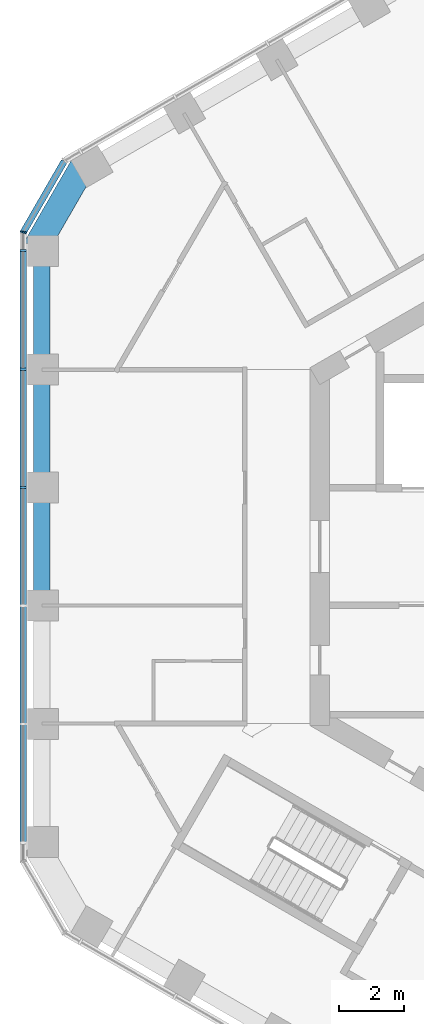
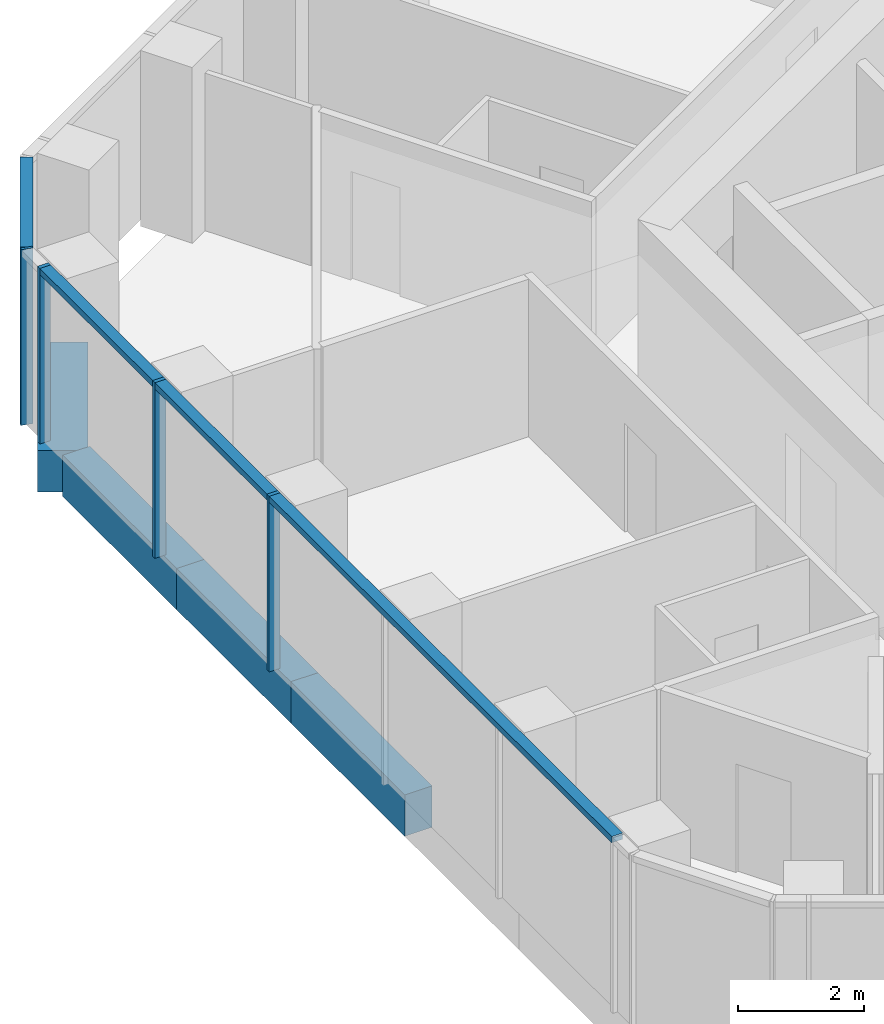
# One storey, part 4 of 18: 6 members, 4 beams, 2 elements without a shape of their own.
"""IFC4 building model written with IfcOpenShell, lengths in metres."""

from ifc_helpers import new_model, si_unit, direction, frame, origin, origin_2d, place, context, subcontext, project, spatial, rectangle, extrude, material, layer, layer_set, material_profile, profile_set, type_object, element, aggregate, save


model = new_model("IFC4")

# Units and contexts
model_context = context("Model", 3, precision=1e-05, world=origin(), true_north=direction((0.0, 1.0)))
body_context = subcontext(model_context, "Body", "Model", "MODEL_VIEW")
ifc_project = project(units=[si_unit("LENGTHUNIT", "METRE"), si_unit("AREAUNIT", "SQUARE_METRE"), si_unit("VOLUMEUNIT", "CUBIC_METRE"), si_unit("PLANEANGLEUNIT", "RADIAN"), si_unit("MASSUNIT", "GRAM", prefix="KILO")], contexts=[model_context])

# Site, building, storey
site_placement = place(None, origin())
site = spatial("IfcSite", under=ifc_project, at=site_placement, CompositionType="ELEMENT")
building_placement = place(site_placement, origin())
building = spatial("IfcBuilding", under=site, at=building_placement, Name="Ayvan Gate Tower", CompositionType="ELEMENT")
storey_placement = place(building_placement, frame((0.0, 0.0, 179.89990234375)))
storey = spatial("IfcBuildingStorey", under=building, at=storey_placement, Name="L48", CompositionType="ELEMENT", Elevation=179.89990234375)

# Beams
ifc_material_1 = material(Name="Concrete C40/50", Category="concrete")
ifc_material_profile_1 = material_profile(ifc_material_1, rectangle(XDim=0.800048828125, YDim=0.800048828125, at=origin_2d()), Name="RC 800x800")
ifc_profile_set_1 = profile_set([ifc_material_profile_1], Name="Concrete C40/50")
beam_type_1 = type_object("IfcBeamType", Name="Corner spandrel beam RC 800x800 C40/50", PredefinedType="BEAM", material=ifc_profile_set_1)
beam_placement = place(storey_placement, frame((-16.415283203125, 11.74267578125, -0.75), z_axis=(-0.499990139034, -0.866031096941, 0.0), x_axis=(0.866031096941, -0.499990139034, 0.0)))
element("IfcBeam", 1, at=beam_placement, inside=storey, type_object=beam_type_1, Name="SB-L48-18", PredefinedType="BEAM", context=body_context, shape_type="SweptSolid", body=[
    extrude(rectangle(XDim=0.800048828125, YDim=0.800048828125, at=origin_2d()), origin(), (0.0, 0.0, 1.0), 3.0),
])
ifc_material_profile_2 = material_profile(ifc_material_1, rectangle(XDim=0.5, YDim=0.800048828125, at=origin_2d()), Name="RC 500x800")
ifc_profile_set_2 = profile_set([ifc_material_profile_2], Name="Concrete C40/50")
beam_type_2 = type_object("IfcBeamType", Name="Spandrel beam RC 500x800 C40/50", PredefinedType="BEAM", material=ifc_profile_set_2)
for number, where, z_axis, x_axis, name in (
    (2, (-17.724853515625, 9.034423828125, -0.75), (0.0, -1.0, 0.0), (1.0, 0.0, 0.0), "SB-L48-19"),
    (3, (-17.724853515625, 5.420654296875, -0.75), (0.0, -1.0, 0.0), (1.0, 0.0, 0.0), "SB-L48-20"),
    (4, (-17.724853515625, 1.806884765625, -0.75), (0.0, -1.0, 0.0), (1.0, 0.0, 0.0), "SB-L48-21"),
):
    element("IfcBeam", number, at=place(storey_placement, frame(where, z_axis=z_axis, x_axis=x_axis)), inside=storey, type_object=beam_type_2, Name=name, PredefinedType="BEAM", context=body_context, shape_type="SweptSolid", body=[
        extrude(rectangle(XDim=0.5, YDim=0.800048828125, at=origin_2d()), origin(), (0.0, 0.0, 1.0), 3.61376953125),
    ])

# Curtain wall, members
ifc_material_2 = material(Name="Bronze anodised aluminium", Category="aluminium")
ifc_layer_1 = layer(ifc_material_2, 0.199951171875)
ifc_layer_set_1 = layer_set([ifc_layer_1], Name="Bronze anodised aluminium")
curtain_wall_type_1 = type_object("IfcCurtainWallType", Name="Stick curtain wall CW-2", PredefinedType="NOTDEFINED", material=ifc_layer_set_1)
curtain_wall_1_placement = place(storey_placement, origin())
curtain_wall_1 = element("IfcCurtainWall", 5, at=curtain_wall_1_placement, inside=storey, type_object=curtain_wall_type_1, Name="Stick curtain wall CW-2 L48", PredefinedType="NOTDEFINED")
ifc_material_profile_3 = material_profile(ifc_material_2, rectangle(XDim=0.199951171875, YDim=0.070068359375, at=origin_2d()), Name="Stick curtain wall CW-2 mullion 200 x 70")
ifc_profile_set_3 = profile_set([ifc_material_profile_3], Name="Bronze anodised aluminium")
member_type_1 = type_object("IfcMemberType", Name="Stick curtain wall CW-2 mullion 200 x 70", PredefinedType="MULLION", material=ifc_profile_set_3)
member_1_placement = place(storey_placement, frame((-18.286865234375, 9.082763671875, 0.0), z_axis=(0.0, 0.0, 1.0), x_axis=(-1.0, 0.0, 0.0)))
member_1 = element("IfcMember", 6, at=member_1_placement, type_object=member_type_1, Name="CW-2 mullion 1", PredefinedType="MULLION", context=body_context, shape_type="SweptSolid", body=[
    extrude(rectangle(XDim=0.199951171875, YDim=0.070068359375, at=origin_2d()), origin(), (0.0, 0.0, 1.0), 3.400146484375),
])
member_2_placement = place(storey_placement, frame((-18.286865234375, 5.435791015625, 0.0), z_axis=(0.0, 0.0, 1.0), x_axis=(-1.0, 0.0, 0.0)))
member_2 = element("IfcMember", 7, at=member_2_placement, type_object=member_type_1, Name="CW-2 mullion 2", PredefinedType="MULLION", context=body_context, shape_type="SweptSolid", body=[
    extrude(rectangle(XDim=0.199951171875, YDim=0.070068359375, at=origin_2d()), origin(), (0.0, 0.0, 1.0), 3.400146484375),
])
member_3_placement = place(storey_placement, frame((-18.286865234375, 1.811767578125, 0.0), z_axis=(0.0, 0.0, 1.0), x_axis=(-1.0, 0.0, 0.0)))
member_3 = element("IfcMember", 8, at=member_3_placement, type_object=member_type_1, Name="CW-2 mullion 3", PredefinedType="MULLION", context=body_context, shape_type="SweptSolid", body=[
    extrude(rectangle(XDim=0.199951171875, YDim=0.070068359375, at=origin_2d()), origin(), (0.0, 0.0, 1.0), 3.400146484375),
])
ifc_material_profile_4 = material_profile(ifc_material_2, rectangle(XDim=0.199951171875, YDim=0.1201171875, at=origin_2d()), Name="Stick curtain wall CW-2 transom 200 x 120")
ifc_profile_set_4 = profile_set([ifc_material_profile_4], Name="Bronze anodised aluminium")
member_type_2 = type_object("IfcMemberType", Name="Stick curtain wall CW-2 transom 200 x 120", PredefinedType="USERDEFINED", material=ifc_profile_set_4)
member_4_placement = place(storey_placement, frame((-18.286865234375, 9.082763671875, 3.340087890625), z_axis=(0.0, -1.0, 0.0), x_axis=(1.0, 0.0, 0.0)))
member_4 = element("IfcMember", 9, at=member_4_placement, type_object=member_type_2, Name="CW-2 transom 1", ObjectType="TRANSOM", PredefinedType="USERDEFINED", context=body_context, shape_type="SweptSolid", body=[
    extrude(rectangle(XDim=0.199951171875, YDim=0.1201171875, at=origin_2d()), origin(), (0.0, 0.0, 1.0), 18.16552734375),
])
aggregate(curtain_wall_1, [member_1, member_2, member_3, member_4])

ifc_layer_2 = layer(ifc_material_2, 0.199951171875)
ifc_layer_set_2 = layer_set([ifc_layer_2], Name="Bronze anodised aluminium")
curtain_wall_type_2 = type_object("IfcCurtainWallType", Name="Stick curtain wall CW-6", PredefinedType="NOTDEFINED", material=ifc_layer_set_2)
curtain_wall_2_placement = place(storey_placement, origin())
curtain_wall_2 = element("IfcCurtainWall", 10, at=curtain_wall_2_placement, inside=storey, type_object=curtain_wall_type_2, Name="Stick curtain wall CW-6 L48", PredefinedType="NOTDEFINED")
ifc_material_profile_5 = material_profile(ifc_material_2, rectangle(XDim=0.199951171875, YDim=0.050048828125, at=origin_2d()), Name="Stick curtain wall CW-6 mullion 200 x 50")
ifc_profile_set_5 = profile_set([ifc_material_profile_5], Name="Bronze anodised aluminium")
member_type_3 = type_object("IfcMemberType", Name="Stick curtain wall CW-6 mullion 200 x 50", PredefinedType="MULLION", material=ifc_profile_set_5)
member_5_placement = place(storey_placement, frame((-18.286865234375, 9.642822265625, 0.0), z_axis=(0.0, 0.0, 1.0), x_axis=(-0.965925826289, 0.258819045103, 0.0)))
member_5 = element("IfcMember", 11, at=member_5_placement, type_object=member_type_3, Name="CW-6 mullion 3", PredefinedType="MULLION", context=body_context, shape_type="SweptSolid", body=[
    extrude(rectangle(XDim=0.199951171875, YDim=0.050048828125, at=origin_2d()), origin(), (0.0, 0.0, 1.0), 3.400146484375),
])
ifc_material_profile_6 = material_profile(ifc_material_2, rectangle(XDim=0.199951171875, YDim=0.1201171875, at=origin_2d()), Name="Stick curtain wall CW-6 transom 200 x 120")
ifc_profile_set_6 = profile_set([ifc_material_profile_6], Name="Bronze anodised aluminium")
member_type_4 = type_object("IfcMemberType", Name="Stick curtain wall CW-6 transom 200 x 120", PredefinedType="USERDEFINED", material=ifc_profile_set_6)
member_6_placement = place(storey_placement, frame((-17.031982421875, 11.816162109375, 3.340087890625), z_axis=(-0.499943602543, -0.866057962423, 0.0), x_axis=(0.866057962423, -0.499943602543, 0.0)))
member_6 = element("IfcMember", 12, at=member_6_placement, type_object=member_type_4, Name="CW-6 transom 2", ObjectType="TRANSOM", PredefinedType="USERDEFINED", context=body_context, shape_type="SweptSolid", body=[
    extrude(rectangle(XDim=0.199951171875, YDim=0.1201171875, at=origin_2d()), origin(), (0.0, 0.0, 1.0), 2.484619140625),
])
aggregate(curtain_wall_2, [member_5, member_6])

save(model, "model.ifc")
